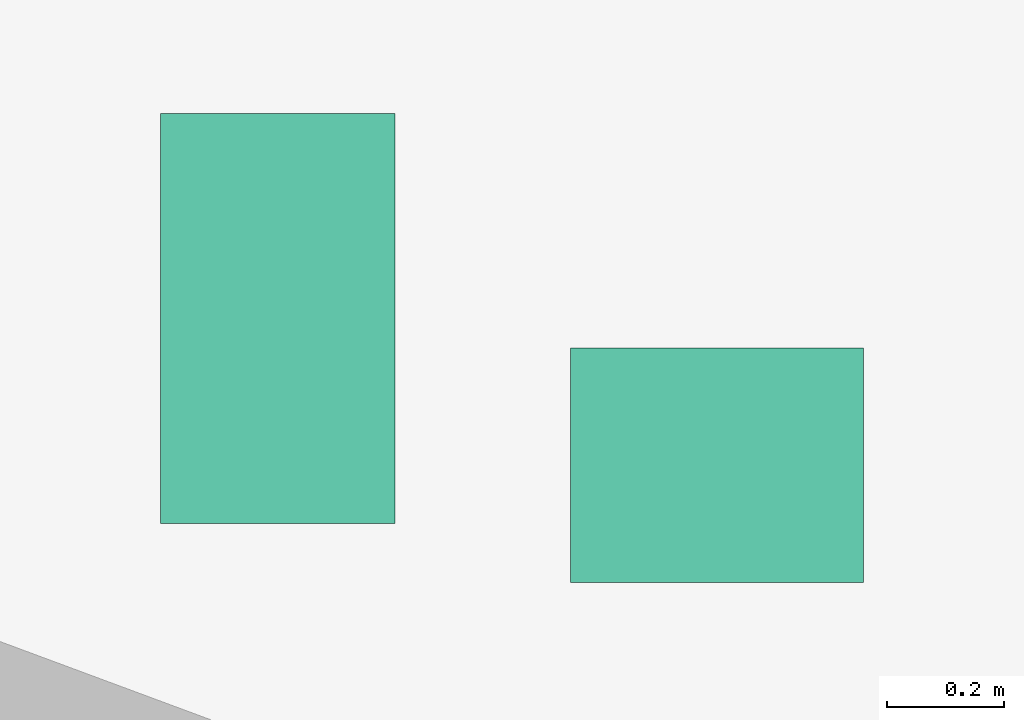
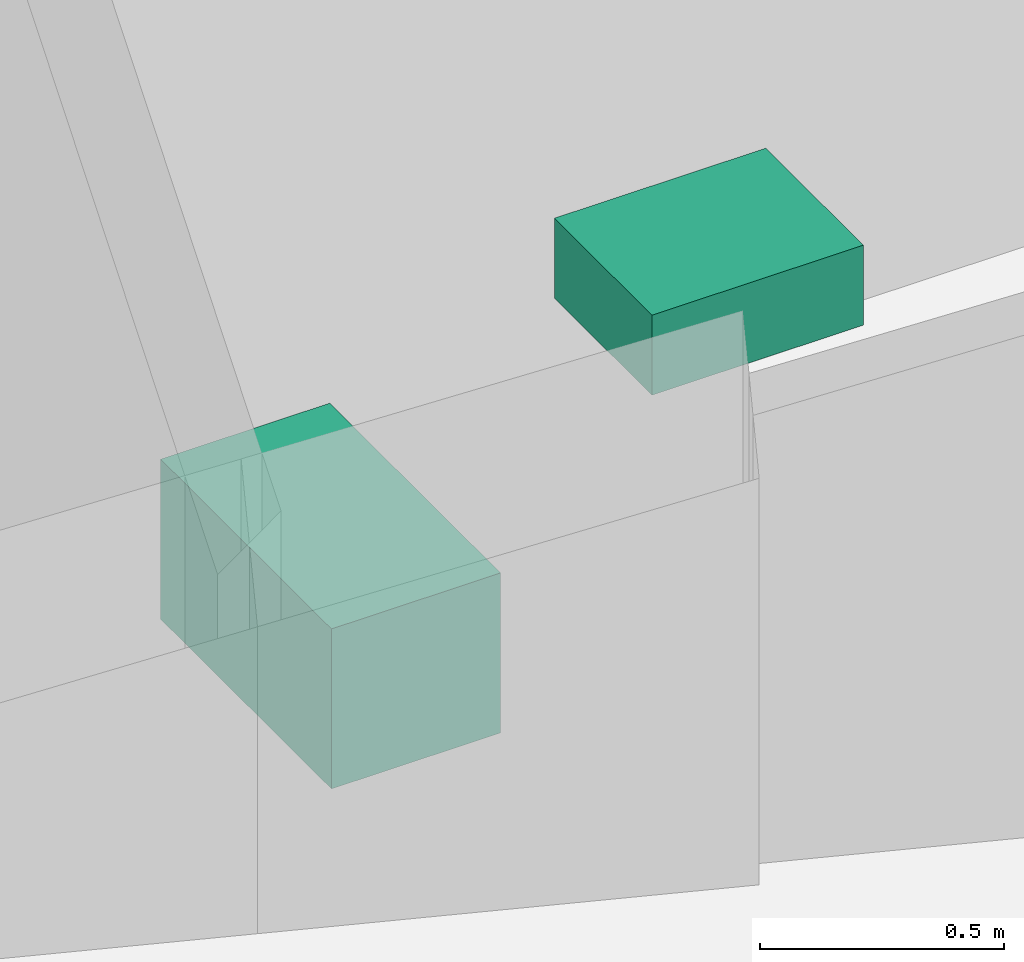
# One storey, part 15 of 15: 2 sanitary terminals.
"""IFC4 building model written with IfcOpenShell, lengths in metres."""

from ifc_helpers import new_model, si_unit, direction, frame, origin, origin_2d, place, context, subcontext, project, spatial, rectangle, extrude, material, type_object, element, save


model = new_model("IFC4")

# Units and contexts
model_context = context("Model", 3, precision=1e-05, world=origin(), true_north=direction((0.0, 1.0)))
body_context = subcontext(model_context, "Body", "Model", "MODEL_VIEW")
ifc_project = project(units=[si_unit("LENGTHUNIT", "METRE"), si_unit("AREAUNIT", "SQUARE_METRE"), si_unit("VOLUMEUNIT", "CUBIC_METRE"), si_unit("PLANEANGLEUNIT", "RADIAN"), si_unit("MASSUNIT", "GRAM", prefix="KILO")], contexts=[model_context])

# Site, building, storey
site_placement = place(None, origin())
site = spatial("IfcSite", under=ifc_project, at=site_placement, CompositionType="ELEMENT")
building_placement = place(site_placement, origin())
building = spatial("IfcBuilding", under=site, at=building_placement, Name="Ostrand Prow Hotel Tower", CompositionType="ELEMENT")
storey_placement = place(building_placement, frame((0.0, 0.0, 318.60009765625)))
storey = spatial("IfcBuildingStorey", under=building, at=storey_placement, Name="C3", CompositionType="ELEMENT", Elevation=318.60009765625)

# Sanitary terminals
ifc_material_1 = material(Name="Vitreous china")
sanitary_terminal_type_1 = type_object("IfcSanitaryTerminalType", Name="WC pan 360x700", PredefinedType="TOILETPAN", material=ifc_material_1)
sanitary_terminal_1_placement = place(storey_placement, frame((29.712158203125, -2.3095703125, 0.0), z_axis=(0.0, 0.0, 1.0), x_axis=(1.0, 0.0, 0.0)))
element("IfcSanitaryTerminal", 1, at=sanitary_terminal_1_placement, inside=storey, type_object=sanitary_terminal_type_1, Name="PAN", PredefinedType="TOILETPAN", context=body_context, shape_type="SweptSolid", body=[
    extrude(rectangle(XDim=0.39990234375, YDim=0.699951171875, at=origin_2d()), origin(), (0.0, 0.0, 1.0), 0.39990234375),
])
ifc_material_2 = material(Name="Vitreous china")
sanitary_terminal_type_2 = type_object("IfcSanitaryTerminalType", Name="Wash hand basin 500x400", PredefinedType="WASHHANDBASIN", material=ifc_material_2)
sanitary_terminal_2_placement = place(storey_placement, frame((30.462158203125, -2.5595703125, 0.7998046875), z_axis=(0.0, 0.0, 1.0), x_axis=(1.0, 0.0, 0.0)))
element("IfcSanitaryTerminal", 2, at=sanitary_terminal_2_placement, inside=storey, type_object=sanitary_terminal_type_2, Name="WASH HAND BASIN", PredefinedType="WASHHANDBASIN", context=body_context, shape_type="SweptSolid", body=[
    extrude(rectangle(XDim=0.5, YDim=0.39990234375, at=origin_2d()), origin(), (0.0, 0.0, 1.0), 0.199951171875),
])

save(model, "model.ifc")
